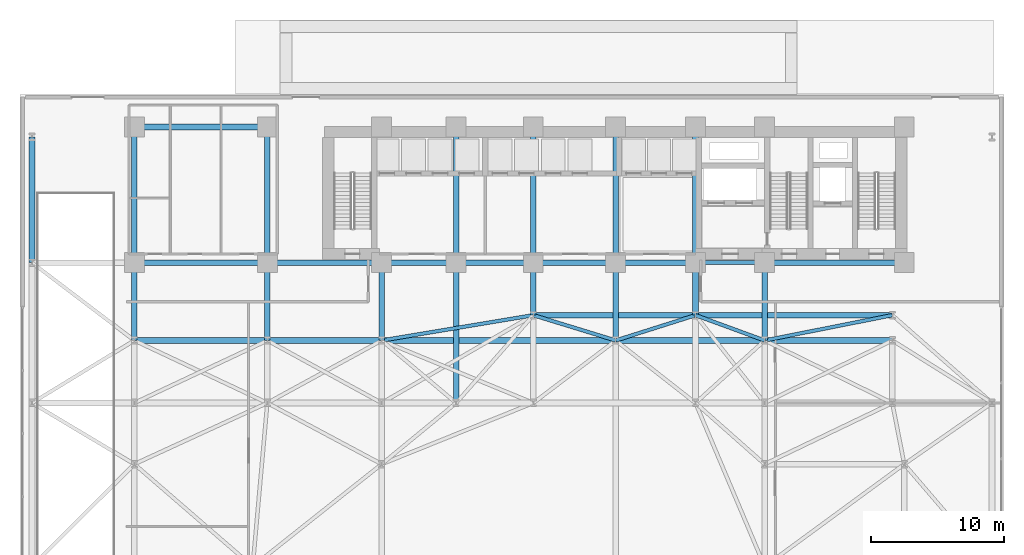
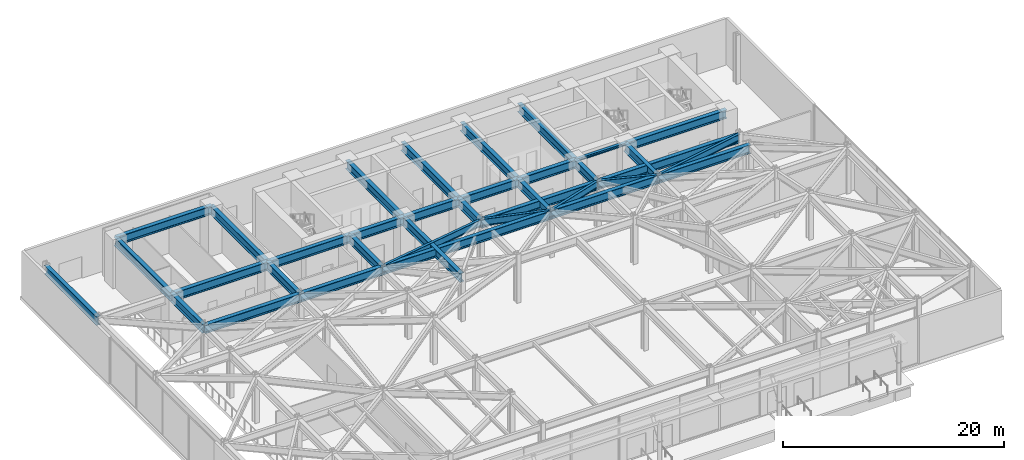
# One storey, part 19 of 31: 36 beams.
"""IFC4 building model written with IfcOpenShell, lengths in metres."""

from ifc_helpers import new_model, si_unit, direction, frame, origin, origin_2d, place, context, subcontext, project, spatial, i_section, extrude, material, material_profile, profile_set, type_object, element, save


model = new_model("IFC4")

# Units and contexts
model_context = context("Model", 3, precision=1e-05, world=origin(), true_north=direction((0.0, 1.0)))
body_context = subcontext(model_context, "Body", "Model", "MODEL_VIEW")
ifc_project = project(units=[si_unit("LENGTHUNIT", "METRE"), si_unit("AREAUNIT", "SQUARE_METRE"), si_unit("VOLUMEUNIT", "CUBIC_METRE"), si_unit("PLANEANGLEUNIT", "RADIAN"), si_unit("MASSUNIT", "GRAM", prefix="KILO")], contexts=[model_context])

# Site, building, storey
site_placement = place(None, origin())
site = spatial("IfcSite", under=ifc_project, at=site_placement, CompositionType="ELEMENT")
building_placement = place(site_placement, origin())
building = spatial("IfcBuilding", under=site, at=building_placement, Name="Kravanh Interchange Tower", CompositionType="ELEMENT")
storey_placement = place(building_placement, origin())
storey = spatial("IfcBuildingStorey", under=building, at=storey_placement, Name="L00", CompositionType="ELEMENT", Elevation=0.0)

# Beams
ifc_material_1 = material(Name="Structural Steel S450", Category="steel")
ifc_material_profile_1 = material_profile(ifc_material_1, i_section(OverallWidth=0.423095703125, OverallDepth=0.947998046875, WebThickness=0.02392578125, FlangeThickness=0.042724609375, FilletRadius=0.028076171875, at=origin_2d()), Name="W36X302")
ifc_profile_set_1 = profile_set([ifc_material_profile_1], Name="Structural Steel S450")
beam_type_1 = type_object("IfcBeamType", Name="Floor Beam W36X302 Structural Steel S450", PredefinedType="BEAM", material=ifc_profile_set_1)
beam_1_placement = place(storey_placement, frame((32.800048828125, 26.800048828125, 4.656005859375), z_axis=(0.0, 1.0, 0.0), x_axis=(-1.0, 0.0, 0.0)))
element("IfcBeam", 1, at=beam_1_placement, inside=storey, type_object=beam_type_1, Name="L00 Primary Floor Girder 88", PredefinedType="BEAM", context=body_context, shape_type="SweptSolid", body=[
    extrude(i_section(OverallWidth=0.423095703125, OverallDepth=0.947998046875, WebThickness=0.02392578125, FlangeThickness=0.042724609375, FilletRadius=0.028076171875, at=origin_2d()), origin(), (0.0, 0.0, 1.0), 10.550048828125),
])
beam_2_placement = place(storey_placement, frame((8.60009765625, 31.5, 4.656005859375), z_axis=(0.0, 1.0, 0.0), x_axis=(-1.0, 0.0, 0.0)))
element("IfcBeam", 2, at=beam_2_placement, inside=storey, type_object=beam_type_1, Name="L00 Primary Floor Girder 104", PredefinedType="BEAM", context=body_context, shape_type="SweptSolid", body=[
    extrude(i_section(OverallWidth=0.423095703125, OverallDepth=0.947998046875, WebThickness=0.02392578125, FlangeThickness=0.042724609375, FilletRadius=0.028076171875, at=origin_2d()), origin(), (0.0, 0.0, 1.0), 5.85009765625),
])
beam_3_placement = place(storey_placement, frame((8.60009765625, 31.5, 4.656005859375), z_axis=(1.0, 0.0, 0.0), x_axis=(0.0, 1.0, 0.0)))
element("IfcBeam", 3, at=beam_3_placement, inside=storey, type_object=beam_type_1, Name="L00 Primary Floor Girder 107", PredefinedType="BEAM", context=body_context, shape_type="SweptSolid", body=[
    extrude(i_section(OverallWidth=0.423095703125, OverallDepth=0.947998046875, WebThickness=0.02392578125, FlangeThickness=0.042724609375, FilletRadius=0.028076171875, at=origin_2d()), origin(), (0.0, 0.0, 1.0), 10.0),
])
beam_4_placement = place(storey_placement, frame((18.60009765625, 31.5, 4.656005859375), z_axis=(0.0, 1.0, 0.0), x_axis=(-1.0, 0.0, 0.0)))
element("IfcBeam", 4, at=beam_4_placement, inside=storey, type_object=beam_type_1, Name="L00 Primary Floor Girder 108", PredefinedType="BEAM", context=body_context, shape_type="SweptSolid", body=[
    extrude(i_section(OverallWidth=0.423095703125, OverallDepth=0.947998046875, WebThickness=0.02392578125, FlangeThickness=0.042724609375, FilletRadius=0.028076171875, at=origin_2d()), origin(), (0.0, 0.0, 1.0), 5.85009765625),
])
beam_5_placement = place(storey_placement, frame((18.60009765625, 31.5, 4.656005859375), z_axis=(1.0, 0.0, 0.0), x_axis=(0.0, 1.0, 0.0)))
element("IfcBeam", 5, at=beam_5_placement, inside=storey, type_object=beam_type_1, Name="L00 Primary Floor Girder 109", PredefinedType="BEAM", context=body_context, shape_type="SweptSolid", body=[
    extrude(i_section(OverallWidth=0.423095703125, OverallDepth=0.947998046875, WebThickness=0.02392578125, FlangeThickness=0.042724609375, FilletRadius=0.028076171875, at=origin_2d()), origin(), (0.0, 0.0, 1.0), 8.599853515625),
])
beam_6_placement = place(storey_placement, frame((27.199951171875, 31.5, 4.656005859375), z_axis=(0.0, 1.0, 0.0), x_axis=(-1.0, 0.0, 0.0)))
element("IfcBeam", 6, at=beam_6_placement, inside=storey, type_object=beam_type_1, Name="L00 Primary Floor Girder 110", PredefinedType="BEAM", context=body_context, shape_type="SweptSolid", body=[
    extrude(i_section(OverallWidth=0.423095703125, OverallDepth=0.947998046875, WebThickness=0.02392578125, FlangeThickness=0.042724609375, FilletRadius=0.028076171875, at=origin_2d()), origin(), (0.0, 0.0, 1.0), 5.85009765625),
])
beam_7_placement = place(storey_placement, frame((27.199951171875, 31.5, 4.656005859375), z_axis=(1.0, 0.0, 0.0), x_axis=(0.0, 1.0, 0.0)))
element("IfcBeam", 7, at=beam_7_placement, inside=storey, type_object=beam_type_1, Name="L00 Primary Floor Girder 112", PredefinedType="BEAM", context=body_context, shape_type="SweptSolid", body=[
    extrude(i_section(OverallWidth=0.423095703125, OverallDepth=0.947998046875, WebThickness=0.02392578125, FlangeThickness=0.042724609375, FilletRadius=0.028076171875, at=origin_2d()), origin(), (0.0, 0.0, 1.0), 17.60009765625),
])
beam_8_placement = place(storey_placement, frame((44.800048828125, 31.5, 4.656005859375), z_axis=(0.0, 1.0, 0.0), x_axis=(-1.0, 0.0, 0.0)))
element("IfcBeam", 8, at=beam_8_placement, inside=storey, type_object=beam_type_1, Name="L00 Primary Floor Girder 113", PredefinedType="BEAM", context=body_context, shape_type="SweptSolid", body=[
    extrude(i_section(OverallWidth=0.423095703125, OverallDepth=0.947998046875, WebThickness=0.02392578125, FlangeThickness=0.042724609375, FilletRadius=0.028076171875, at=origin_2d()), origin(), (0.0, 0.0, 1.0), 5.85009765625),
])
beam_9_placement = place(storey_placement, frame((44.800048828125, 31.5, 4.656005859375), z_axis=(1.0, 0.0, 0.0), x_axis=(0.0, 1.0, 0.0)))
element("IfcBeam", 9, at=beam_9_placement, inside=storey, type_object=beam_type_1, Name="L00 Primary Floor Girder 116", PredefinedType="BEAM", context=body_context, shape_type="SweptSolid", body=[
    extrude(i_section(OverallWidth=0.423095703125, OverallDepth=0.947998046875, WebThickness=0.02392578125, FlangeThickness=0.042724609375, FilletRadius=0.028076171875, at=origin_2d()), origin(), (0.0, 0.0, 1.0), 11.199951171875),
])
beam_10_placement = place(storey_placement, frame((56.0, 31.5, 4.656005859375), z_axis=(0.0, 1.0, 0.0), x_axis=(-1.0, 0.0, 0.0)))
element("IfcBeam", 10, at=beam_10_placement, inside=storey, type_object=beam_type_1, Name="L00 Primary Floor Girder 118", PredefinedType="BEAM", context=body_context, shape_type="SweptSolid", body=[
    extrude(i_section(OverallWidth=0.423095703125, OverallDepth=0.947998046875, WebThickness=0.02392578125, FlangeThickness=0.042724609375, FilletRadius=0.028076171875, at=origin_2d()), origin(), (0.0, 0.0, 1.0), 5.85009765625),
])
beam_11_placement = place(storey_placement, frame((56.0, 31.5, 4.656005859375), z_axis=(1.0, 0.0, 0.0), x_axis=(0.0, 1.0, 0.0)))
element("IfcBeam", 11, at=beam_11_placement, inside=storey, type_object=beam_type_1, Name="L00 Primary Floor Girder 119", PredefinedType="BEAM", context=body_context, shape_type="SweptSolid", body=[
    extrude(i_section(OverallWidth=0.423095703125, OverallDepth=0.947998046875, WebThickness=0.02392578125, FlangeThickness=0.042724609375, FilletRadius=0.028076171875, at=origin_2d()), origin(), (0.0, 0.0, 1.0), 9.60009765625),
])
beam_12_placement = place(storey_placement, frame((0.89990234375, 37.35009765625, 4.656005859375), z_axis=(0.0, 1.0, 0.0), x_axis=(-1.0, 0.0, 0.0)))
element("IfcBeam", 12, at=beam_12_placement, inside=storey, type_object=beam_type_1, Name="L00 Primary Floor Girder 126", PredefinedType="BEAM", context=body_context, shape_type="SweptSolid", body=[
    extrude(i_section(OverallWidth=0.423095703125, OverallDepth=0.947998046875, WebThickness=0.02392578125, FlangeThickness=0.042724609375, FilletRadius=0.028076171875, at=origin_2d()), origin(), (0.0, 0.0, 1.0), 9.449951171875),
])
beam_13_placement = place(storey_placement, frame((38.60009765625, 33.39990234375, 4.656005859375), z_axis=(0.0, 1.0, 0.0), x_axis=(-1.0, 0.0, 0.0)))
element("IfcBeam", 13, at=beam_13_placement, inside=storey, type_object=beam_type_1, Name="L00 Primary Floor Girder 130", PredefinedType="BEAM", context=body_context, shape_type="SweptSolid", body=[
    extrude(i_section(OverallWidth=0.423095703125, OverallDepth=0.947998046875, WebThickness=0.02392578125, FlangeThickness=0.042724609375, FilletRadius=0.028076171875, at=origin_2d()), origin(), (0.0, 0.0, 1.0), 3.9501953125),
])
beam_14_placement = place(storey_placement, frame((38.60009765625, 33.39990234375, 4.656005859375), z_axis=(1.0, 0.0, 0.0), x_axis=(0.0, 1.0, 0.0)))
element("IfcBeam", 14, at=beam_14_placement, inside=storey, type_object=beam_type_1, Name="L00 Primary Floor Girder 131", PredefinedType="BEAM", context=body_context, shape_type="SweptSolid", body=[
    extrude(i_section(OverallWidth=0.423095703125, OverallDepth=0.947998046875, WebThickness=0.02392578125, FlangeThickness=0.042724609375, FilletRadius=0.028076171875, at=origin_2d()), origin(), (0.0, 0.0, 1.0), 12.199951171875),
])
beam_15_placement = place(storey_placement, frame((50.800048828125, 33.39990234375, 4.656005859375), z_axis=(0.0, 1.0, 0.0), x_axis=(-1.0, 0.0, 0.0)))
element("IfcBeam", 15, at=beam_15_placement, inside=storey, type_object=beam_type_1, Name="L00 Primary Floor Girder 132", PredefinedType="BEAM", context=body_context, shape_type="SweptSolid", body=[
    extrude(i_section(OverallWidth=0.423095703125, OverallDepth=0.947998046875, WebThickness=0.02392578125, FlangeThickness=0.042724609375, FilletRadius=0.028076171875, at=origin_2d()), origin(), (0.0, 0.0, 1.0), 3.9501953125),
])
beam_16_placement = place(storey_placement, frame((50.800048828125, 33.39990234375, 4.656005859375), z_axis=(1.0, 0.0, 0.0), x_axis=(0.0, 1.0, 0.0)))
element("IfcBeam", 16, at=beam_16_placement, inside=storey, type_object=beam_type_1, Name="L00 Primary Floor Girder 133", PredefinedType="BEAM", context=body_context, shape_type="SweptSolid", body=[
    extrude(i_section(OverallWidth=0.423095703125, OverallDepth=0.947998046875, WebThickness=0.02392578125, FlangeThickness=0.042724609375, FilletRadius=0.028076171875, at=origin_2d()), origin(), (0.0, 0.0, 1.0), 14.800048828125),
])
beam_17_placement = place(storey_placement, frame((66.5, 37.35009765625, 4.656005859375), z_axis=(-1.0, 0.0, 0.0), x_axis=(0.0, -1.0, 0.0)))
element("IfcBeam", 17, at=beam_17_placement, inside=storey, type_object=beam_type_1, Name="L00 Primary Floor Girder 138", PredefinedType="BEAM", context=body_context, shape_type="SweptSolid", body=[
    extrude(i_section(OverallWidth=0.423095703125, OverallDepth=0.947998046875, WebThickness=0.02392578125, FlangeThickness=0.042724609375, FilletRadius=0.028076171875, at=origin_2d()), origin(), (0.0, 0.0, 1.0), 10.5),
])
beam_18_placement = place(storey_placement, frame((50.800048828125, 47.550048828125, 4.656005859375), z_axis=(0.0, -1.0, 0.0), x_axis=(1.0, 0.0, 0.0)))
element("IfcBeam", 18, at=beam_18_placement, inside=storey, type_object=beam_type_1, Name="L00 Primary Floor Girder 141", PredefinedType="BEAM", context=body_context, shape_type="SweptSolid", body=[
    extrude(i_section(OverallWidth=0.423095703125, OverallDepth=0.947998046875, WebThickness=0.02392578125, FlangeThickness=0.042724609375, FilletRadius=0.028076171875, at=origin_2d()), origin(), (0.0, 0.0, 1.0), 10.199951171875),
])
beam_19_placement = place(storey_placement, frame((50.800048828125, 37.35009765625, 4.656005859375), z_axis=(-1.0, 0.0, 0.0), x_axis=(0.0, -1.0, 0.0)))
element("IfcBeam", 19, at=beam_19_placement, inside=storey, type_object=beam_type_1, Name="L00 Primary Floor Girder 142", PredefinedType="BEAM", context=body_context, shape_type="SweptSolid", body=[
    extrude(i_section(OverallWidth=0.423095703125, OverallDepth=0.947998046875, WebThickness=0.02392578125, FlangeThickness=0.042724609375, FilletRadius=0.028076171875, at=origin_2d()), origin(), (0.0, 0.0, 1.0), 6.0),
])
beam_20_placement = place(storey_placement, frame((44.800048828125, 37.35009765625, 4.656005859375), z_axis=(-1.0, 0.0, 0.0), x_axis=(0.0, -1.0, 0.0)))
element("IfcBeam", 20, at=beam_20_placement, inside=storey, type_object=beam_type_1, Name="L00 Primary Floor Girder 143", PredefinedType="BEAM", context=body_context, shape_type="SweptSolid", body=[
    extrude(i_section(OverallWidth=0.423095703125, OverallDepth=0.947998046875, WebThickness=0.02392578125, FlangeThickness=0.042724609375, FilletRadius=0.028076171875, at=origin_2d()), origin(), (0.0, 0.0, 1.0), 6.199951171875),
])
beam_21_placement = place(storey_placement, frame((44.800048828125, 37.35009765625, 4.656005859375), z_axis=(0.0, 1.0, 0.0), x_axis=(-1.0, 0.0, 0.0)))
element("IfcBeam", 21, at=beam_21_placement, inside=storey, type_object=beam_type_1, Name="L00 Primary Floor Girder 144", PredefinedType="BEAM", context=body_context, shape_type="SweptSolid", body=[
    extrude(i_section(OverallWidth=0.423095703125, OverallDepth=0.947998046875, WebThickness=0.02392578125, FlangeThickness=0.042724609375, FilletRadius=0.028076171875, at=origin_2d()), origin(), (0.0, 0.0, 1.0), 10.199951171875),
])
beam_22_placement = place(storey_placement, frame((38.60009765625, 37.35009765625, 4.656005859375), z_axis=(-1.0, 0.0, 0.0), x_axis=(0.0, -1.0, 0.0)))
element("IfcBeam", 22, at=beam_22_placement, inside=storey, type_object=beam_type_1, Name="L00 Primary Floor Girder 146", PredefinedType="BEAM", context=body_context, shape_type="SweptSolid", body=[
    extrude(i_section(OverallWidth=0.423095703125, OverallDepth=0.947998046875, WebThickness=0.02392578125, FlangeThickness=0.042724609375, FilletRadius=0.028076171875, at=origin_2d()), origin(), (0.0, 0.0, 1.0), 5.800048828125),
])
beam_23_placement = place(storey_placement, frame((38.60009765625, 37.35009765625, 4.656005859375), z_axis=(0.0, 1.0, 0.0), x_axis=(-1.0, 0.0, 0.0)))
element("IfcBeam", 23, at=beam_23_placement, inside=storey, type_object=beam_type_1, Name="L00 Primary Floor Girder 147", PredefinedType="BEAM", context=body_context, shape_type="SweptSolid", body=[
    extrude(i_section(OverallWidth=0.423095703125, OverallDepth=0.947998046875, WebThickness=0.02392578125, FlangeThickness=0.042724609375, FilletRadius=0.028076171875, at=origin_2d()), origin(), (0.0, 0.0, 1.0), 10.199951171875),
])
beam_24_placement = place(storey_placement, frame((32.800048828125, 37.35009765625, 4.656005859375), z_axis=(-1.0, 0.0, 0.0), x_axis=(0.0, -1.0, 0.0)))
element("IfcBeam", 24, at=beam_24_placement, inside=storey, type_object=beam_type_1, Name="L00 Primary Floor Girder 149", PredefinedType="BEAM", context=body_context, shape_type="SweptSolid", body=[
    extrude(i_section(OverallWidth=0.423095703125, OverallDepth=0.947998046875, WebThickness=0.02392578125, FlangeThickness=0.042724609375, FilletRadius=0.028076171875, at=origin_2d()), origin(), (0.0, 0.0, 1.0), 5.60009765625),
])
beam_25_placement = place(storey_placement, frame((32.800048828125, 37.35009765625, 4.656005859375), z_axis=(0.0, 1.0, 0.0), x_axis=(-1.0, 0.0, 0.0)))
element("IfcBeam", 25, at=beam_25_placement, inside=storey, type_object=beam_type_1, Name="L00 Primary Floor Girder 150", PredefinedType="BEAM", context=body_context, shape_type="SweptSolid", body=[
    extrude(i_section(OverallWidth=0.423095703125, OverallDepth=0.947998046875, WebThickness=0.02392578125, FlangeThickness=0.042724609375, FilletRadius=0.028076171875, at=origin_2d()), origin(), (0.0, 0.0, 1.0), 10.199951171875),
])
beam_26_placement = place(storey_placement, frame((27.199951171875, 37.35009765625, 4.656005859375), z_axis=(-1.0, 0.0, 0.0), x_axis=(0.0, -1.0, 0.0)))
element("IfcBeam", 26, at=beam_26_placement, inside=storey, type_object=beam_type_1, Name="L00 Primary Floor Girder 152", PredefinedType="BEAM", context=body_context, shape_type="SweptSolid", body=[
    extrude(i_section(OverallWidth=0.423095703125, OverallDepth=0.947998046875, WebThickness=0.02392578125, FlangeThickness=0.042724609375, FilletRadius=0.028076171875, at=origin_2d()), origin(), (0.0, 0.0, 1.0), 8.599853515625),
])
beam_27_placement = place(storey_placement, frame((18.60009765625, 37.35009765625, 4.656005859375), z_axis=(-1.0, 0.0, 0.0), x_axis=(0.0, -1.0, 0.0)))
element("IfcBeam", 27, at=beam_27_placement, inside=storey, type_object=beam_type_1, Name="L00 Primary Floor Girder 155", PredefinedType="BEAM", context=body_context, shape_type="SweptSolid", body=[
    extrude(i_section(OverallWidth=0.423095703125, OverallDepth=0.947998046875, WebThickness=0.02392578125, FlangeThickness=0.042724609375, FilletRadius=0.028076171875, at=origin_2d()), origin(), (0.0, 0.0, 1.0), 10.0),
])
beam_28_placement = place(storey_placement, frame((18.60009765625, 37.35009765625, 4.656005859375), z_axis=(0.0, 1.0, 0.0), x_axis=(-1.0, 0.0, 0.0)))
element("IfcBeam", 28, at=beam_28_placement, inside=storey, type_object=beam_type_1, Name="L00 Primary Floor Girder 156", PredefinedType="BEAM", context=body_context, shape_type="SweptSolid", body=[
    extrude(i_section(OverallWidth=0.423095703125, OverallDepth=0.947998046875, WebThickness=0.02392578125, FlangeThickness=0.042724609375, FilletRadius=0.028076171875, at=origin_2d()), origin(), (0.0, 0.0, 1.0), 10.199951171875),
])
beam_29_placement = place(storey_placement, frame((18.60009765625, 47.550048828125, 4.656005859375), z_axis=(-1.0, 0.0, 0.0), x_axis=(0.0, -1.0, 0.0)))
element("IfcBeam", 29, at=beam_29_placement, inside=storey, type_object=beam_type_1, Name="L00 Primary Floor Girder 157", PredefinedType="BEAM", context=body_context, shape_type="SweptSolid", body=[
    extrude(i_section(OverallWidth=0.423095703125, OverallDepth=0.947998046875, WebThickness=0.02392578125, FlangeThickness=0.042724609375, FilletRadius=0.028076171875, at=origin_2d()), origin(), (0.0, 0.0, 1.0), 10.0),
])
beam_30_placement = place(storey_placement, frame((8.60009765625, 37.35009765625, 4.656005859375), z_axis=(0.0, 1.0, 0.0), x_axis=(-1.0, 0.0, 0.0)))
element("IfcBeam", 30, at=beam_30_placement, inside=storey, type_object=beam_type_1, Name="L00 Primary Floor Girder 158", PredefinedType="BEAM", context=body_context, shape_type="SweptSolid", body=[
    extrude(i_section(OverallWidth=0.423095703125, OverallDepth=0.947998046875, WebThickness=0.02392578125, FlangeThickness=0.042724609375, FilletRadius=0.028076171875, at=origin_2d()), origin(), (0.0, 0.0, 1.0), 10.199951171875),
])
ifc_material_2 = material(Name="Structural Steel S355", Category="steel")
ifc_material_profile_2 = material_profile(ifc_material_2, i_section(OverallWidth=0.304931640625, OverallDepth=0.306884765625, WebThickness=0.010009765625, FlangeThickness=0.015380859375, FilletRadius=0.014892578125, at=origin_2d()), Name="W12X65")
ifc_profile_set_2 = profile_set([ifc_material_profile_2], Name="Structural Steel S355")
beam_type_2 = type_object("IfcBeamType", Name="Floor Lintel W12X65 Structural Steel S355", PredefinedType="LINTEL", material=ifc_profile_set_2)
beam_31_placement = place(storey_placement, frame((50.800048828125, 37.35009765625, 4.9765625), z_axis=(1.0, 0.0, 0.0), x_axis=(0.0, 1.0, 0.0)))
element("IfcBeam", 31, at=beam_31_placement, inside=storey, type_object=beam_type_2, Name="L00 Core Coupling Lintel 1", PredefinedType="LINTEL", context=body_context, shape_type="SweptSolid", body=[
    extrude(i_section(OverallWidth=0.304931640625, OverallDepth=0.306884765625, WebThickness=0.010009765625, FlangeThickness=0.015380859375, FilletRadius=0.014892578125, at=origin_2d()), origin(), (0.0, 0.0, 1.0), 5.199951171875),
])
ifc_material_3 = material(Name="Structural Steel S355", Category="steel")
ifc_material_profile_3 = material_profile(ifc_material_3, i_section(OverallWidth=0.26708984375, OverallDepth=0.761962890625, WebThickness=0.014404296875, FlangeThickness=0.021484375, FilletRadius=0.02490234375, at=origin_2d()), Name="W30X116")
ifc_profile_set_3 = profile_set([ifc_material_profile_3], Name="Structural Steel S355")
beam_type_3 = type_object("IfcBeamType", Name="Floor Spandrel W30X116 Structural Steel S355", PredefinedType="SPANDREL", material=ifc_profile_set_3)
beam_32_placement = place(storey_placement, frame((27.199951171875, 31.5, 4.7490234375), z_axis=(0.986395636554, 0.164388710647, 0.0), x_axis=(-0.164388710647, 0.986395636554, 0.0)))
element("IfcBeam", 32, at=beam_32_placement, inside=storey, type_object=beam_type_3, Name="L00 Perimeter Spandrel 111", PredefinedType="SPANDREL", context=body_context, shape_type="SweptSolid", body=[
    extrude(i_section(OverallWidth=0.26708984375, OverallDepth=0.761962890625, WebThickness=0.014404296875, FlangeThickness=0.021484375, FilletRadius=0.02490234375, at=origin_2d()), origin(), (0.0, 0.0, 1.0), 11.557373046875),
])
beam_33_placement = place(storey_placement, frame((44.800048828125, 31.5, 4.7490234375), z_axis=(0.953346691051, 0.301877602122, 0.0), x_axis=(-0.301877602122, 0.953346691051, 0.0)))
element("IfcBeam", 33, at=beam_33_placement, inside=storey, type_object=beam_type_3, Name="L00 Perimeter Spandrel 114", PredefinedType="SPANDREL", context=body_context, shape_type="SweptSolid", body=[
    extrude(i_section(OverallWidth=0.26708984375, OverallDepth=0.761962890625, WebThickness=0.014404296875, FlangeThickness=0.021484375, FilletRadius=0.02490234375, at=origin_2d()), origin(), (0.0, 0.0, 1.0), 6.293701171875),
])
beam_34_placement = place(storey_placement, frame((44.800048828125, 31.5, 4.7490234375), z_axis=(-0.956115397264, 0.292990353279, 0.0), x_axis=(-0.292990353279, -0.956115397264, 0.0)))
element("IfcBeam", 34, at=beam_34_placement, inside=storey, type_object=beam_type_3, Name="L00 Perimeter Spandrel 115", PredefinedType="SPANDREL", context=body_context, shape_type="SweptSolid", body=[
    extrude(i_section(OverallWidth=0.26708984375, OverallDepth=0.761962890625, WebThickness=0.014404296875, FlangeThickness=0.021484375, FilletRadius=0.02490234375, at=origin_2d()), origin(), (0.0, 0.0, 1.0), 6.484619140625),
])
beam_35_placement = place(storey_placement, frame((56.0, 31.5, 4.7490234375), z_axis=(-0.93926957103, 0.343180233896, 0.0), x_axis=(-0.343180233896, -0.93926957103, 0.0)))
element("IfcBeam", 35, at=beam_35_placement, inside=storey, type_object=beam_type_3, Name="L00 Perimeter Spandrel 117", PredefinedType="SPANDREL", context=body_context, shape_type="SweptSolid", body=[
    extrude(i_section(OverallWidth=0.26708984375, OverallDepth=0.761962890625, WebThickness=0.014404296875, FlangeThickness=0.021484375, FilletRadius=0.02490234375, at=origin_2d()), origin(), (0.0, 0.0, 1.0), 5.5361328125),
])
beam_36_placement = place(storey_placement, frame((56.0, 31.5, 4.7490234375), z_axis=(0.980974000807, 0.194139150457, 0.0), x_axis=(-0.194139150457, 0.980974000807, 0.0)))
element("IfcBeam", 36, at=beam_36_placement, inside=storey, type_object=beam_type_3, Name="L00 Perimeter Spandrel 120", PredefinedType="SPANDREL", context=body_context, shape_type="SweptSolid", body=[
    extrude(i_section(OverallWidth=0.26708984375, OverallDepth=0.761962890625, WebThickness=0.014404296875, FlangeThickness=0.021484375, FilletRadius=0.02490234375, at=origin_2d()), origin(), (0.0, 0.0, 1.0), 9.786376953125),
])

save(model, "model.ifc")
